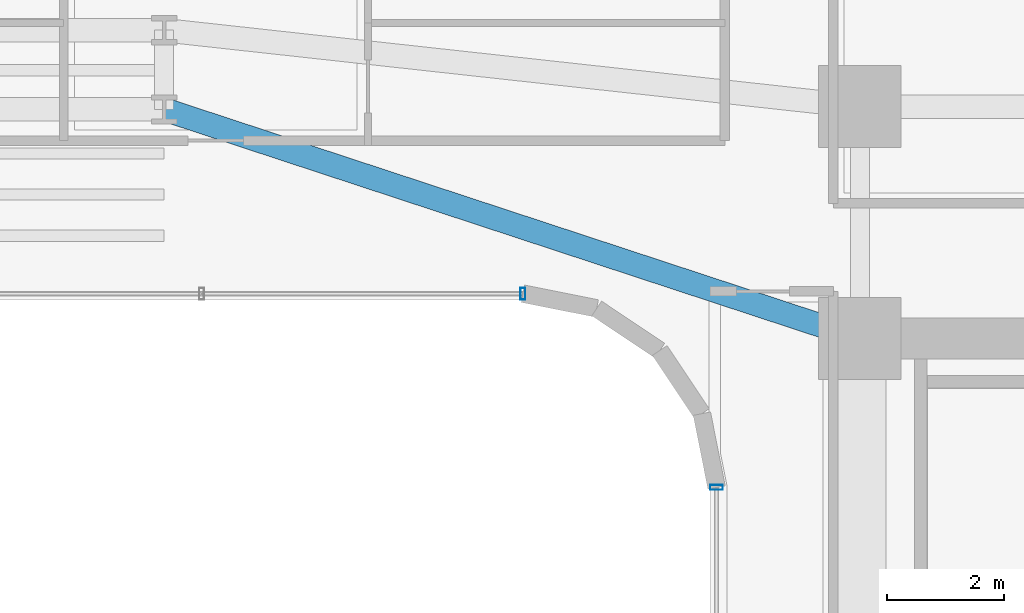
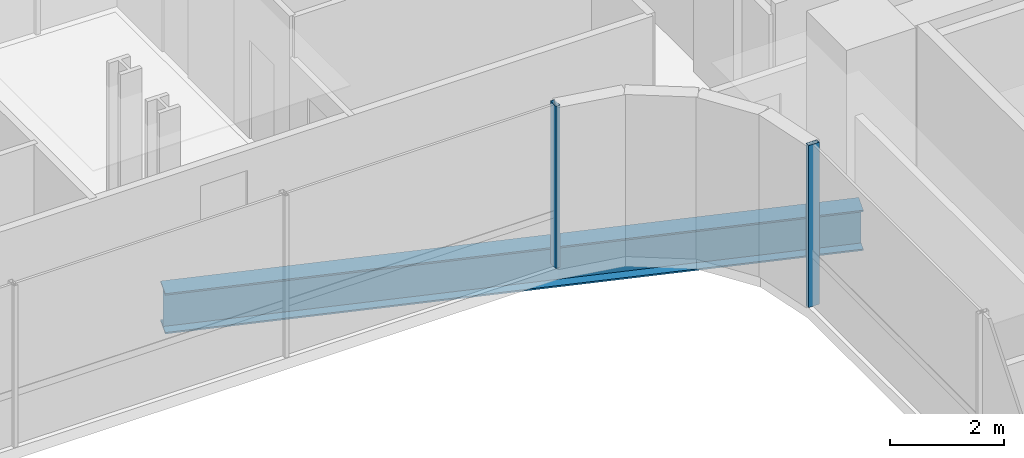
# One storey, part 17 of 42: 2 members, 1 beam, 2 elements without a shape of their own.
"""IFC4 building model written with IfcOpenShell, lengths in metres."""

from ifc_helpers import new_model, si_unit, direction, frame, origin, origin_2d, place, context, subcontext, project, spatial, hollow_rectangle, i_section, extrude, source, transform, mapped, material, material_profile, profile_set, type_object, element, aggregate, save


model = new_model("IFC4")

# Units and contexts
model_context = context("Model", 3, precision=1e-05, world=origin(), true_north=direction((0.0, 1.0)))
body_context = subcontext(model_context, "Body", "Model", "MODEL_VIEW")
ifc_project = project(units=[si_unit("LENGTHUNIT", "METRE"), si_unit("AREAUNIT", "SQUARE_METRE"), si_unit("VOLUMEUNIT", "CUBIC_METRE"), si_unit("PLANEANGLEUNIT", "RADIAN"), si_unit("MASSUNIT", "GRAM", prefix="KILO")], contexts=[model_context])

# Site, building, storey
site_placement = place(None, origin())
site = spatial("IfcSite", under=ifc_project, at=site_placement, CompositionType="ELEMENT")
building_placement = place(site_placement, origin())
building = spatial("IfcBuilding", under=site, at=building_placement, Name="Valdorenza Pilgrim Sanctuary Tower", CompositionType="ELEMENT")
storey_placement = place(building_placement, frame((0.0, 0.0, 55.60009765625)))
storey = spatial("IfcBuildingStorey", under=building, at=storey_placement, Name="L13", CompositionType="ELEMENT", Elevation=55.60009765625)

# Beam
ifc_material_1 = material(Name="Steel ASTM A992 Grade 50", Category="steel")
ifc_material_profile_1 = material_profile(ifc_material_1, i_section(OverallWidth=0.39990234375, OverallDepth=0.862060546875, WebThickness=0.019775390625, FlangeThickness=0.032470703125, at=origin_2d()), Name="W33X221")
ifc_profile_set_1 = profile_set([ifc_material_profile_1], Name="Steel ASTM A992 Grade 50")
beam_type = type_object("IfcBeamType", Name="STR-BM-GRD-W33", PredefinedType="BEAM", material=ifc_profile_set_1)
shared_shape_1 = source(origin(), body_context, "Body", "SweptSolid", [
    extrude(i_section(OverallWidth=0.39990234375, OverallDepth=0.862060546875, WebThickness=0.019775390625, FlangeThickness=0.032470703125, at=origin_2d()), origin(), (0.0, 0.0, 1.0), 12.475341796875),
])
beam_placement = place(storey_placement, frame((4.0, 13.449951171875, -0.671142578125), z_axis=(0.949881908141, -0.312608957943, 0.0), x_axis=(0.312608957943, 0.949881908141, 0.0)))
element("IfcBeam", 1, at=beam_placement, inside=storey, type_object=beam_type, Name="L13 Floor Girder KNK-G3", PredefinedType="BEAM", context=body_context, shape_type="MappedRepresentation", body=[
    mapped(shared_shape_1, transform((0.0, 0.0, 0.0), x_axis=(1.0, 0.0, 0.0), y_axis=(0.0, 1.0, 0.0), z_axis=(0.0, 0.0, 1.0), scale=1.0)),
])

# Curtain wall, member
ifc_material_2 = material(Name="Curtain-wall IGU glazing", Category="glass")
curtain_wall_type_1 = type_object("IfcCurtainWallType", Name="CW-SYS-02", PredefinedType="NOTDEFINED", material=ifc_material_2)
curtain_wall_1_placement = place(storey_placement, origin())
curtain_wall_1 = element("IfcCurtainWall", 2, at=curtain_wall_1_placement, inside=storey, type_object=curtain_wall_type_1, Name="L13 Curtain Wall CW-L13-1-36", PredefinedType="NOTDEFINED")
ifc_material_3 = material(Name="Anodised aluminium AW-6060", Category="aluminium")
ifc_material_profile_2 = material_profile(ifc_material_3, hollow_rectangle(XDim=0.0849609375, YDim=0.199951171875, WallThickness=0.0048828125, at=origin_2d()), Name="ALU-M 200x85x5")
ifc_profile_set_2 = profile_set([ifc_material_profile_2], Name="Anodised aluminium AW-6060")
member_type_1 = type_object("IfcMemberType", Name="CW-MUL-02", PredefinedType="MULLION", material=ifc_profile_set_2)
shared_shape_2 = source(origin(), body_context, "Body", "SweptSolid", [
    extrude(hollow_rectangle(XDim=0.0849609375, YDim=0.199951171875, WallThickness=0.0048828125, at=origin_2d()), origin(), (0.0, 0.0, 1.0), 3.4599609375),
])
member_1_placement = place(storey_placement, frame((10.11083984375, 10.31005859375, 0.0), z_axis=(0.0, 0.0, 1.0), x_axis=(-1.0, 0.0, 0.0)))
member_1 = element("IfcMember", 3, at=member_1_placement, type_object=member_type_1, Name="CW-L13-1-36 Mullion 1", PredefinedType="MULLION", context=body_context, shape_type="MappedRepresentation", body=[
    mapped(shared_shape_2, transform((0.0, 0.0, 0.0), x_axis=(1.0, 0.0, 0.0), y_axis=(0.0, 1.0, 0.0), z_axis=(0.0, 0.0, 1.0), scale=1.0)),
])
aggregate(curtain_wall_1, [member_1])

curtain_wall_type_2 = type_object("IfcCurtainWallType", Name="CW-SYS-03", PredefinedType="NOTDEFINED", material=ifc_material_2)
curtain_wall_2_placement = place(storey_placement, origin())
curtain_wall_2 = element("IfcCurtainWall", 4, at=curtain_wall_2_placement, inside=storey, type_object=curtain_wall_type_2, Name="L13 Curtain Wall CW-L13-1-31", PredefinedType="NOTDEFINED")
ifc_material_profile_3 = material_profile(ifc_material_3, hollow_rectangle(XDim=0.0849609375, YDim=0.219970703125, WallThickness=0.0048828125, at=origin_2d()), Name="ALU-M 220x85x5")
ifc_profile_set_3 = profile_set([ifc_material_profile_3], Name="Anodised aluminium AW-6060")
member_type_2 = type_object("IfcMemberType", Name="CW-MUL-03", PredefinedType="MULLION", material=ifc_profile_set_3)
shared_shape_3 = source(origin(), body_context, "Body", "SweptSolid", [
    extrude(hollow_rectangle(XDim=0.0849609375, YDim=0.219970703125, WallThickness=0.0048828125, at=origin_2d()), origin(), (0.0, 0.0, 1.0), 3.4599609375),
])
member_2_placement = place(storey_placement, frame((13.409912109375, 7.0107421875, 0.0), z_axis=(0.0, 0.0, 1.0), x_axis=(0.0, 1.0, 0.0)))
member_2 = element("IfcMember", 5, at=member_2_placement, type_object=member_type_2, Name="CW-L13-1-31 Mullion 4", PredefinedType="MULLION", context=body_context, shape_type="MappedRepresentation", body=[
    mapped(shared_shape_3, transform((0.0, 0.0, 0.0), x_axis=(1.0, 0.0, 0.0), y_axis=(0.0, 1.0, 0.0), z_axis=(0.0, 0.0, 1.0), scale=1.0)),
])
aggregate(curtain_wall_2, [member_2])

save(model, "model.ifc")
